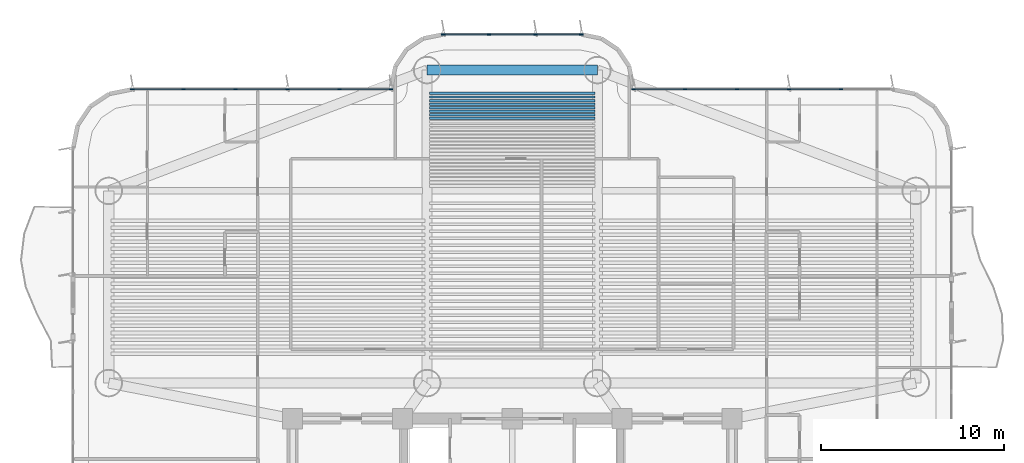
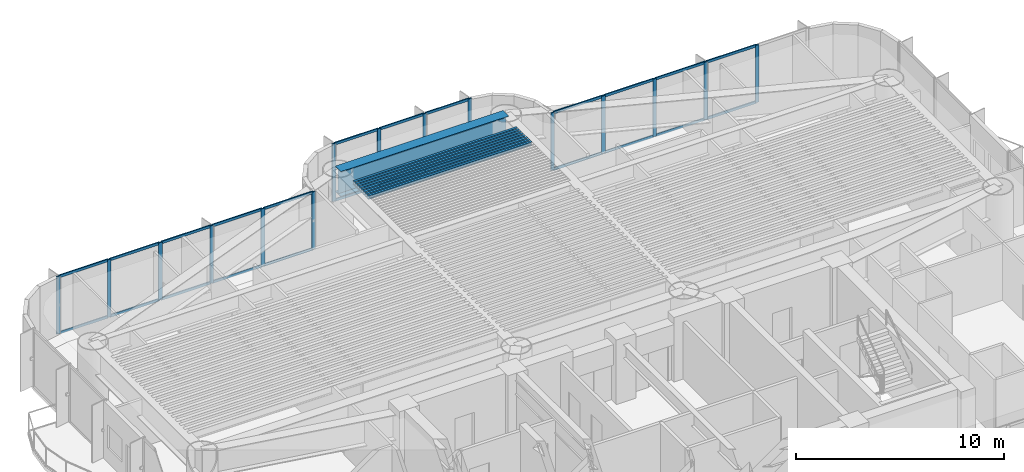
# One storey, part 6 of 17: 39 members, 9 beams, 3 elements without a shape of their own.
"""IFC4 building model written with IfcOpenShell, lengths in metres."""

from ifc_helpers import new_model, si_unit, direction, frame, origin, origin_2d, place, context, subcontext, project, spatial, rectangle, i_section, extrude, source, transform, mapped, material, layer, layer_set, material_profile, profile_set, type_object, element, aggregate, save


model = new_model("IFC4")

# Units and contexts
model_context = context("Model", 3, precision=1e-05, world=origin(), true_north=direction((0.0, 1.0)))
body_context = subcontext(model_context, "Body", "Model", "MODEL_VIEW")
ifc_project = project(units=[si_unit("LENGTHUNIT", "METRE"), si_unit("AREAUNIT", "SQUARE_METRE"), si_unit("VOLUMEUNIT", "CUBIC_METRE"), si_unit("PLANEANGLEUNIT", "RADIAN"), si_unit("MASSUNIT", "GRAM", prefix="KILO")], contexts=[model_context])

# Site, building, storey
site_placement = place(None, origin())
site = spatial("IfcSite", under=ifc_project, at=site_placement, CompositionType="ELEMENT")
building_placement = place(site_placement, origin())
building = spatial("IfcBuilding", under=site, at=building_placement, Name="Brelvock Crest Care Tower", CompositionType="ELEMENT")
storey_placement = place(building_placement, frame((0.0, 0.0, 76.139892578125)))
storey = spatial("IfcBuildingStorey", under=building, at=storey_placement, Name="L19", CompositionType="ELEMENT", Elevation=76.139892578125)

# Beams
ifc_material_1 = material(Name="Steel Grade 350", Category="steel")
ifc_material_profile_1 = material_profile(ifc_material_1, i_section(OverallWidth=0.134033203125, OverallDepth=0.20703125, WebThickness=0.00634765625, FlangeThickness=0.009521484375, FilletRadius=0.0087890625, at=origin_2d()), Name="200UB29.8")
ifc_profile_set_1 = profile_set([ifc_material_profile_1], Name="Steel Grade 350")
beam_type_1 = type_object("IfcBeamType", Name="BM-J4", PredefinedType="JOIST", material=ifc_profile_set_1)
shared_shape_1 = source(origin(), body_context, "Body", "SweptSolid", [
    extrude(i_section(OverallWidth=0.134033203125, OverallDepth=0.20703125, WebThickness=0.00634765625, FlangeThickness=0.009521484375, FilletRadius=0.0087890625, at=origin_2d()), origin(), (0.0, 0.0, 1.0), 9.06982421875),
])
for number, where, z_axis, x_axis, name in (
    (1, (31.465087890625, 34.413330078125, 3.2685546875), (1.0, 0.0, 0.0), (0.0, 1.0, 0.0), "BM-JN-L19-20"),
    (2, (31.465087890625, 34.60791015625, 3.2685546875), (1.0, 0.0, 0.0), (0.0, 1.0, 0.0), "BM-JN-L19-21"),
    (3, (31.465087890625, 34.802734375, 3.2685546875), (1.0, 0.0, 0.0), (0.0, 1.0, 0.0), "BM-JN-L19-22"),
    (4, (31.465087890625, 34.997314453125, 3.2685546875), (1.0, 0.0, 0.0), (0.0, 1.0, 0.0), "BM-JN-L19-23"),
    (5, (31.465087890625, 35.192138671875, 3.2685546875), (1.0, 0.0, 0.0), (0.0, 1.0, 0.0), "BM-JN-L19-24"),
    (6, (31.465087890625, 35.38671875, 3.2685546875), (1.0, 0.0, 0.0), (0.0, 1.0, 0.0), "BM-JN-L19-25"),
    (7, (31.465087890625, 35.58154296875, 3.2685546875), (1.0, 0.0, 0.0), (0.0, 1.0, 0.0), "BM-JN-L19-26"),
    (8, (31.465087890625, 35.776123046875, 3.2685546875), (1.0, 0.0, 0.0), (0.0, 1.0, 0.0), "BM-JN-L19-27"),
):
    element("IfcBeam", number, at=place(storey_placement, frame(where, z_axis=z_axis, x_axis=x_axis)), inside=storey, type_object=beam_type_1, Name=name, PredefinedType="JOIST", context=body_context, shape_type="MappedRepresentation", body=[
        mapped(shared_shape_1, transform((0.0, 0.0, 0.0), x_axis=(1.0, 0.0, 0.0), y_axis=(0.0, 1.0, 0.0), z_axis=(0.0, 0.0, 1.0), scale=1.0)),
    ])
ifc_material_profile_2 = material_profile(ifc_material_1, i_section(OverallWidth=0.550048828125, OverallDepth=1.5, WebThickness=0.02392578125, FlangeThickness=0.044921875, at=origin_2d()), Name="1500TG580")
ifc_profile_set_2 = profile_set([ifc_material_profile_2], Name="Steel Grade 350")
beam_type_2 = type_object("IfcBeamType", Name="BM-TG2", PredefinedType="USERDEFINED", material=ifc_profile_set_2)
shared_shape_2 = source(origin(), body_context, "Body", "SweptSolid", [
    extrude(i_section(OverallWidth=0.550048828125, OverallDepth=1.5, WebThickness=0.02392578125, FlangeThickness=0.044921875, at=origin_2d()), origin(), (0.0, 0.0, 1.0), 9.2998046875),
])
beam_placement = place(storey_placement, frame((31.35009765625, 37.050048828125, 2.6220703125), z_axis=(1.0, 0.0, 0.0), x_axis=(0.0, 1.0, 0.0)))
element("IfcBeam", 9, at=beam_placement, inside=storey, type_object=beam_type_2, Name="BM-TWR-L19-08", ObjectType="GIRDER", PredefinedType="USERDEFINED", context=body_context, shape_type="MappedRepresentation", body=[
    mapped(shared_shape_2, transform((0.0, 0.0, 0.0), x_axis=(1.0, 0.0, 0.0), y_axis=(0.0, 1.0, 0.0), z_axis=(0.0, 0.0, 1.0), scale=1.0)),
])

# Curtain wall, members
ifc_material_2 = material(Name="Dark Glass Double Glazed Low-E", Category="glass")
ifc_layer = layer(ifc_material_2, 0.195068359375, Name="CWS-2")
ifc_layer_set = layer_set([ifc_layer], Name="Dark Glass Double Glazed Low-E")
curtain_wall_type = type_object("IfcCurtainWallType", Name="CWS-2", PredefinedType="NOTDEFINED", material=ifc_layer_set)
curtain_wall_1_placement = place(storey_placement, origin())
curtain_wall_1 = element("IfcCurtainWall", 10, at=curtain_wall_1_placement, inside=storey, type_object=curtain_wall_type, Name="L19 Curtain Wall E18", PredefinedType="NOTDEFINED")
ifc_material_3 = material(Name="Aluminium 6063-T6", Category="aluminium")
ifc_material_profile_3 = material_profile(ifc_material_3, rectangle(XDim=0.06494140625, YDim=0.14990234375, at=origin_2d()), Name="ALU65x150")
ifc_profile_set_3 = profile_set([ifc_material_profile_3], Name="Aluminium 6063-T6")
member_type_1 = type_object("IfcMemberType", Name="CWT-1", PredefinedType="USERDEFINED", material=ifc_profile_set_3)
shared_shape_3 = source(origin(), body_context, "Body", "SweptSolid", [
    extrude(rectangle(XDim=0.06494140625, YDim=0.14990234375, at=origin_2d()), origin(), (0.0, 0.0, 1.0), 2.74267578125),
])
member_1_placement = place(storey_placement, frame((15.264892578125, 36.0, 0.03271484375), z_axis=(1.0, 0.0, 0.0), x_axis=(0.0, 1.0, 0.0)))
member_1 = element("IfcMember", 11, at=member_1_placement, type_object=member_type_1, Name="CW-2 transom 1.1", ObjectType="TRANSOM", PredefinedType="USERDEFINED", context=body_context, shape_type="MappedRepresentation", body=[
    mapped(shared_shape_3, transform((0.0, 0.0, 0.0), x_axis=(1.0, 0.0, 0.0), y_axis=(0.0, 1.0, 0.0), z_axis=(0.0, 0.0, 1.0), scale=1.0)),
])
member_2_placement = place(storey_placement, frame((15.264892578125, 36.0, 3.339599609375), z_axis=(1.0, 0.0, 0.0), x_axis=(0.0, 1.0, 0.0)))
member_2 = element("IfcMember", 12, at=member_2_placement, type_object=member_type_1, Name="CW-2 transom 1.2", ObjectType="TRANSOM", PredefinedType="USERDEFINED", context=body_context, shape_type="MappedRepresentation", body=[
    mapped(shared_shape_3, transform((0.0, 0.0, 0.0), x_axis=(1.0, 0.0, 0.0), y_axis=(0.0, 1.0, 0.0), z_axis=(0.0, 0.0, 1.0), scale=1.0)),
])
shared_shape_4 = source(origin(), body_context, "Body", "SweptSolid", [
    extrude(rectangle(XDim=0.06494140625, YDim=0.14990234375, at=origin_2d()), origin(), (0.0, 0.0, 1.0), 2.77490234375),
])
member_3_placement = place(storey_placement, frame((18.072509765625, 36.0, 0.03271484375), z_axis=(1.0, 0.0, 0.0), x_axis=(0.0, 1.0, 0.0)))
member_3 = element("IfcMember", 13, at=member_3_placement, type_object=member_type_1, Name="CW-2 transom 2.1", ObjectType="TRANSOM", PredefinedType="USERDEFINED", context=body_context, shape_type="MappedRepresentation", body=[
    mapped(shared_shape_4, transform((0.0, 0.0, 0.0), x_axis=(1.0, 0.0, 0.0), y_axis=(0.0, 1.0, 0.0), z_axis=(0.0, 0.0, 1.0), scale=1.0)),
])
member_4_placement = place(storey_placement, frame((18.072509765625, 36.0, 3.339599609375), z_axis=(1.0, 0.0, 0.0), x_axis=(0.0, 1.0, 0.0)))
member_4 = element("IfcMember", 14, at=member_4_placement, type_object=member_type_1, Name="CW-2 transom 2.2", ObjectType="TRANSOM", PredefinedType="USERDEFINED", context=body_context, shape_type="MappedRepresentation", body=[
    mapped(shared_shape_4, transform((0.0, 0.0, 0.0), x_axis=(1.0, 0.0, 0.0), y_axis=(0.0, 1.0, 0.0), z_axis=(0.0, 0.0, 1.0), scale=1.0)),
])
member_5_placement = place(storey_placement, frame((20.91259765625, 36.0, 0.03271484375), z_axis=(1.0, 0.0, 0.0), x_axis=(0.0, 1.0, 0.0)))
member_5 = element("IfcMember", 15, at=member_5_placement, type_object=member_type_1, Name="CW-2 transom 3.1", ObjectType="TRANSOM", PredefinedType="USERDEFINED", context=body_context, shape_type="MappedRepresentation", body=[
    mapped(shared_shape_4, transform((0.0, 0.0, 0.0), x_axis=(1.0, 0.0, 0.0), y_axis=(0.0, 1.0, 0.0), z_axis=(0.0, 0.0, 1.0), scale=1.0)),
])
member_6_placement = place(storey_placement, frame((20.91259765625, 36.0, 3.339599609375), z_axis=(1.0, 0.0, 0.0), x_axis=(0.0, 1.0, 0.0)))
member_6 = element("IfcMember", 16, at=member_6_placement, type_object=member_type_1, Name="CW-2 transom 3.2", ObjectType="TRANSOM", PredefinedType="USERDEFINED", context=body_context, shape_type="MappedRepresentation", body=[
    mapped(shared_shape_4, transform((0.0, 0.0, 0.0), x_axis=(1.0, 0.0, 0.0), y_axis=(0.0, 1.0, 0.0), z_axis=(0.0, 0.0, 1.0), scale=1.0)),
])

curtain_wall_2_placement = place(storey_placement, origin())
curtain_wall_2 = element("IfcCurtainWall", 17, at=curtain_wall_2_placement, inside=storey, type_object=curtain_wall_type, Name="L19 Curtain Wall E30", PredefinedType="NOTDEFINED")
member_7_placement = place(storey_placement, frame((48.3125, 36.0, 0.03271484375), z_axis=(1.0, 0.0, 0.0), x_axis=(0.0, 1.0, 0.0)))
member_7 = element("IfcMember", 18, at=member_7_placement, type_object=member_type_1, Name="CW-2 transom 3.1", ObjectType="TRANSOM", PredefinedType="USERDEFINED", context=body_context, shape_type="MappedRepresentation", body=[
    mapped(shared_shape_4, transform((0.0, 0.0, 0.0), x_axis=(1.0, 0.0, 0.0), y_axis=(0.0, 1.0, 0.0), z_axis=(0.0, 0.0, 1.0), scale=1.0)),
])
member_8_placement = place(storey_placement, frame((48.3125, 36.0, 3.339599609375), z_axis=(1.0, 0.0, 0.0), x_axis=(0.0, 1.0, 0.0)))
member_8 = element("IfcMember", 19, at=member_8_placement, type_object=member_type_1, Name="CW-2 transom 3.2", ObjectType="TRANSOM", PredefinedType="USERDEFINED", context=body_context, shape_type="MappedRepresentation", body=[
    mapped(shared_shape_4, transform((0.0, 0.0, 0.0), x_axis=(1.0, 0.0, 0.0), y_axis=(0.0, 1.0, 0.0), z_axis=(0.0, 0.0, 1.0), scale=1.0)),
])
member_9_placement = place(storey_placement, frame((51.152587890625, 36.0, 0.03271484375), z_axis=(1.0, 0.0, 0.0), x_axis=(0.0, 1.0, 0.0)))
member_9 = element("IfcMember", 20, at=member_9_placement, type_object=member_type_1, Name="CW-2 transom 4.1", ObjectType="TRANSOM", PredefinedType="USERDEFINED", context=body_context, shape_type="MappedRepresentation", body=[
    mapped(shared_shape_4, transform((0.0, 0.0, 0.0), x_axis=(1.0, 0.0, 0.0), y_axis=(0.0, 1.0, 0.0), z_axis=(0.0, 0.0, 1.0), scale=1.0)),
])
member_10_placement = place(storey_placement, frame((51.152587890625, 36.0, 3.339599609375), z_axis=(1.0, 0.0, 0.0), x_axis=(0.0, 1.0, 0.0)))
member_10 = element("IfcMember", 21, at=member_10_placement, type_object=member_type_1, Name="CW-2 transom 4.2", ObjectType="TRANSOM", PredefinedType="USERDEFINED", context=body_context, shape_type="MappedRepresentation", body=[
    mapped(shared_shape_4, transform((0.0, 0.0, 0.0), x_axis=(1.0, 0.0, 0.0), y_axis=(0.0, 1.0, 0.0), z_axis=(0.0, 0.0, 1.0), scale=1.0)),
])

# Member
shared_shape_5 = source(origin(), body_context, "Body", "SweptSolid", [
    extrude(rectangle(XDim=0.06494140625, YDim=0.14990234375, at=origin_2d()), origin(), (0.0, 0.0, 1.0), 2.775146484375),
])
member_11_placement = place(storey_placement, frame((23.75244140625, 36.0, 0.03271484375), z_axis=(1.0, 0.0, 0.0), x_axis=(0.0, 1.0, 0.0)))
member_11 = element("IfcMember", 22, at=member_11_placement, type_object=member_type_1, Name="CW-2 transom 4.1", ObjectType="TRANSOM", PredefinedType="USERDEFINED", context=body_context, shape_type="MappedRepresentation", body=[
    mapped(shared_shape_5, transform((0.0, 0.0, 0.0), x_axis=(1.0, 0.0, 0.0), y_axis=(0.0, 1.0, 0.0), z_axis=(0.0, 0.0, 1.0), scale=1.0)),
])

member_12_placement = place(storey_placement, frame((23.75244140625, 36.0, 3.339599609375), z_axis=(1.0, 0.0, 0.0), x_axis=(0.0, 1.0, 0.0)))
member_12 = element("IfcMember", 23, at=member_12_placement, type_object=member_type_1, Name="CW-2 transom 4.2", ObjectType="TRANSOM", PredefinedType="USERDEFINED", context=body_context, shape_type="MappedRepresentation", body=[
    mapped(shared_shape_5, transform((0.0, 0.0, 0.0), x_axis=(1.0, 0.0, 0.0), y_axis=(0.0, 1.0, 0.0), z_axis=(0.0, 0.0, 1.0), scale=1.0)),
])

member_13_placement = place(storey_placement, frame((45.472412109375, 36.0, 0.03271484375), z_axis=(1.0, 0.0, 0.0), x_axis=(0.0, 1.0, 0.0)))
member_13 = element("IfcMember", 24, at=member_13_placement, type_object=member_type_1, Name="CW-2 transom 2.1", ObjectType="TRANSOM", PredefinedType="USERDEFINED", context=body_context, shape_type="MappedRepresentation", body=[
    mapped(shared_shape_5, transform((0.0, 0.0, 0.0), x_axis=(1.0, 0.0, 0.0), y_axis=(0.0, 1.0, 0.0), z_axis=(0.0, 0.0, 1.0), scale=1.0)),
])

member_14_placement = place(storey_placement, frame((45.472412109375, 36.0, 3.339599609375), z_axis=(1.0, 0.0, 0.0), x_axis=(0.0, 1.0, 0.0)))
member_14 = element("IfcMember", 25, at=member_14_placement, type_object=member_type_1, Name="CW-2 transom 2.2", ObjectType="TRANSOM", PredefinedType="USERDEFINED", context=body_context, shape_type="MappedRepresentation", body=[
    mapped(shared_shape_5, transform((0.0, 0.0, 0.0), x_axis=(1.0, 0.0, 0.0), y_axis=(0.0, 1.0, 0.0), z_axis=(0.0, 0.0, 1.0), scale=1.0)),
])

shared_shape_6 = source(origin(), body_context, "Body", "SweptSolid", [
    extrude(rectangle(XDim=0.06494140625, YDim=0.14990234375, at=origin_2d()), origin(), (0.0, 0.0, 1.0), 2.742431640625),
])
member_15_placement = place(storey_placement, frame((26.592529296875, 36.0, 0.03271484375), z_axis=(1.0, 0.0, 0.0), x_axis=(0.0, 1.0, 0.0)))
member_15 = element("IfcMember", 26, at=member_15_placement, type_object=member_type_1, Name="CW-2 transom 5.1", ObjectType="TRANSOM", PredefinedType="USERDEFINED", context=body_context, shape_type="MappedRepresentation", body=[
    mapped(shared_shape_6, transform((0.0, 0.0, 0.0), x_axis=(1.0, 0.0, 0.0), y_axis=(0.0, 1.0, 0.0), z_axis=(0.0, 0.0, 1.0), scale=1.0)),
])

member_16_placement = place(storey_placement, frame((26.592529296875, 36.0, 3.339599609375), z_axis=(1.0, 0.0, 0.0), x_axis=(0.0, 1.0, 0.0)))
member_16 = element("IfcMember", 27, at=member_16_placement, type_object=member_type_1, Name="CW-2 transom 5.2", ObjectType="TRANSOM", PredefinedType="USERDEFINED", context=body_context, shape_type="MappedRepresentation", body=[
    mapped(shared_shape_6, transform((0.0, 0.0, 0.0), x_axis=(1.0, 0.0, 0.0), y_axis=(0.0, 1.0, 0.0), z_axis=(0.0, 0.0, 1.0), scale=1.0)),
])

member_17_placement = place(storey_placement, frame((42.6650390625, 36.0, 0.03271484375), z_axis=(1.0, 0.0, 0.0), x_axis=(0.0, 1.0, 0.0)))
member_17 = element("IfcMember", 28, at=member_17_placement, type_object=member_type_1, Name="CW-2 transom 1.1", ObjectType="TRANSOM", PredefinedType="USERDEFINED", context=body_context, shape_type="MappedRepresentation", body=[
    mapped(shared_shape_6, transform((0.0, 0.0, 0.0), x_axis=(1.0, 0.0, 0.0), y_axis=(0.0, 1.0, 0.0), z_axis=(0.0, 0.0, 1.0), scale=1.0)),
])

member_18_placement = place(storey_placement, frame((42.6650390625, 36.0, 3.339599609375), z_axis=(1.0, 0.0, 0.0), x_axis=(0.0, 1.0, 0.0)))
member_18 = element("IfcMember", 29, at=member_18_placement, type_object=member_type_1, Name="CW-2 transom 1.2", ObjectType="TRANSOM", PredefinedType="USERDEFINED", context=body_context, shape_type="MappedRepresentation", body=[
    mapped(shared_shape_6, transform((0.0, 0.0, 0.0), x_axis=(1.0, 0.0, 0.0), y_axis=(0.0, 1.0, 0.0), z_axis=(0.0, 0.0, 1.0), scale=1.0)),
])

# Curtain wall, members
curtain_wall_3_placement = place(storey_placement, origin())
curtain_wall_3 = element("IfcCurtainWall", 30, at=curtain_wall_3_placement, inside=storey, type_object=curtain_wall_type, Name="L19 Curtain Wall E24", PredefinedType="NOTDEFINED")
shared_shape_7 = source(origin(), body_context, "Body", "SweptSolid", [
    extrude(rectangle(XDim=0.06494140625, YDim=0.14990234375, at=origin_2d()), origin(), (0.0, 0.0, 1.0), 2.43603515625),
])
member_19_placement = place(storey_placement, frame((32.264892578125, 39.0, 0.03271484375), z_axis=(1.0, 0.0, 0.0), x_axis=(0.0, 1.0, 0.0)))
member_19 = element("IfcMember", 31, at=member_19_placement, type_object=member_type_1, Name="CW-2 transom 1.1", ObjectType="TRANSOM", PredefinedType="USERDEFINED", context=body_context, shape_type="MappedRepresentation", body=[
    mapped(shared_shape_7, transform((0.0, 0.0, 0.0), x_axis=(1.0, 0.0, 0.0), y_axis=(0.0, 1.0, 0.0), z_axis=(0.0, 0.0, 1.0), scale=1.0)),
])
member_20_placement = place(storey_placement, frame((32.264892578125, 39.0, 3.339599609375), z_axis=(1.0, 0.0, 0.0), x_axis=(0.0, 1.0, 0.0)))
member_20 = element("IfcMember", 32, at=member_20_placement, type_object=member_type_1, Name="CW-2 transom 1.2", ObjectType="TRANSOM", PredefinedType="USERDEFINED", context=body_context, shape_type="MappedRepresentation", body=[
    mapped(shared_shape_7, transform((0.0, 0.0, 0.0), x_axis=(1.0, 0.0, 0.0), y_axis=(0.0, 1.0, 0.0), z_axis=(0.0, 0.0, 1.0), scale=1.0)),
])
member_21_placement = place(storey_placement, frame((37.299072265625, 39.0, 0.03271484375), z_axis=(1.0, 0.0, 0.0), x_axis=(0.0, 1.0, 0.0)))
member_21 = element("IfcMember", 33, at=member_21_placement, type_object=member_type_1, Name="CW-2 transom 3.1", ObjectType="TRANSOM", PredefinedType="USERDEFINED", context=body_context, shape_type="MappedRepresentation", body=[
    mapped(shared_shape_7, transform((0.0, 0.0, 0.0), x_axis=(1.0, 0.0, 0.0), y_axis=(0.0, 1.0, 0.0), z_axis=(0.0, 0.0, 1.0), scale=1.0)),
])
member_22_placement = place(storey_placement, frame((37.299072265625, 39.0, 3.339599609375), z_axis=(1.0, 0.0, 0.0), x_axis=(0.0, 1.0, 0.0)))
member_22 = element("IfcMember", 34, at=member_22_placement, type_object=member_type_1, Name="CW-2 transom 3.2", ObjectType="TRANSOM", PredefinedType="USERDEFINED", context=body_context, shape_type="MappedRepresentation", body=[
    mapped(shared_shape_7, transform((0.0, 0.0, 0.0), x_axis=(1.0, 0.0, 0.0), y_axis=(0.0, 1.0, 0.0), z_axis=(0.0, 0.0, 1.0), scale=1.0)),
])
shared_shape_8 = source(origin(), body_context, "Body", "SweptSolid", [
    extrude(rectangle(XDim=0.06494140625, YDim=0.14990234375, at=origin_2d()), origin(), (0.0, 0.0, 1.0), 2.46826171875),
])
member_23_placement = place(storey_placement, frame((34.765869140625, 39.0, 0.03271484375), z_axis=(1.0, 0.0, 0.0), x_axis=(0.0, 1.0, 0.0)))
member_23 = element("IfcMember", 35, at=member_23_placement, type_object=member_type_1, Name="CW-2 transom 2.1", ObjectType="TRANSOM", PredefinedType="USERDEFINED", context=body_context, shape_type="MappedRepresentation", body=[
    mapped(shared_shape_8, transform((0.0, 0.0, 0.0), x_axis=(1.0, 0.0, 0.0), y_axis=(0.0, 1.0, 0.0), z_axis=(0.0, 0.0, 1.0), scale=1.0)),
])
member_24_placement = place(storey_placement, frame((34.765869140625, 39.0, 3.339599609375), z_axis=(1.0, 0.0, 0.0), x_axis=(0.0, 1.0, 0.0)))
member_24 = element("IfcMember", 36, at=member_24_placement, type_object=member_type_1, Name="CW-2 transom 2.2", ObjectType="TRANSOM", PredefinedType="USERDEFINED", context=body_context, shape_type="MappedRepresentation", body=[
    mapped(shared_shape_8, transform((0.0, 0.0, 0.0), x_axis=(1.0, 0.0, 0.0), y_axis=(0.0, 1.0, 0.0), z_axis=(0.0, 0.0, 1.0), scale=1.0)),
])

# Member
ifc_material_profile_4 = material_profile(ifc_material_3, rectangle(XDim=0.06494140625, YDim=0.199951171875, at=origin_2d()), Name="ALU65x200")
ifc_profile_set_4 = profile_set([ifc_material_profile_4], Name="Aluminium 6063-T6")
member_type_2 = type_object("IfcMemberType", Name="CWM-1", PredefinedType="MULLION", material=ifc_profile_set_4)
shared_shape_9 = source(origin(), body_context, "Body", "SweptSolid", [
    extrude(rectangle(XDim=0.06494140625, YDim=0.199951171875, at=origin_2d()), origin(), (0.0, 0.0, 1.0), 3.3720703125),
])
member_25_placement = place(storey_placement, frame((15.232421875, 36.0, 0.0), z_axis=(0.0, 0.0, 1.0), x_axis=(0.0, 1.0, 0.0)))
member_25 = element("IfcMember", 37, at=member_25_placement, type_object=member_type_2, Name="CW-2 mullion 1", PredefinedType="MULLION", context=body_context, shape_type="MappedRepresentation", body=[
    mapped(shared_shape_9, transform((0.0, 0.0, 0.0), x_axis=(1.0, 0.0, 0.0), y_axis=(0.0, 1.0, 0.0), z_axis=(0.0, 0.0, 1.0), scale=1.0)),
])

member_26_placement = place(storey_placement, frame((18.0400390625, 36.0, 0.0), z_axis=(0.0, 0.0, 1.0), x_axis=(0.0, 1.0, 0.0)))
member_26 = element("IfcMember", 38, at=member_26_placement, type_object=member_type_2, Name="CW-2 mullion 2", PredefinedType="MULLION", context=body_context, shape_type="MappedRepresentation", body=[
    mapped(shared_shape_9, transform((0.0, 0.0, 0.0), x_axis=(1.0, 0.0, 0.0), y_axis=(0.0, 1.0, 0.0), z_axis=(0.0, 0.0, 1.0), scale=1.0)),
])

member_27_placement = place(storey_placement, frame((20.8798828125, 36.0, 0.0), z_axis=(0.0, 0.0, 1.0), x_axis=(0.0, 1.0, 0.0)))
member_27 = element("IfcMember", 39, at=member_27_placement, type_object=member_type_2, Name="CW-2 mullion 3", PredefinedType="MULLION", context=body_context, shape_type="MappedRepresentation", body=[
    mapped(shared_shape_9, transform((0.0, 0.0, 0.0), x_axis=(1.0, 0.0, 0.0), y_axis=(0.0, 1.0, 0.0), z_axis=(0.0, 0.0, 1.0), scale=1.0)),
])

member_28_placement = place(storey_placement, frame((23.719970703125, 36.0, 0.0), z_axis=(0.0, 0.0, 1.0), x_axis=(0.0, 1.0, 0.0)))
member_28 = element("IfcMember", 40, at=member_28_placement, type_object=member_type_2, Name="CW-2 mullion 4", PredefinedType="MULLION", context=body_context, shape_type="MappedRepresentation", body=[
    mapped(shared_shape_9, transform((0.0, 0.0, 0.0), x_axis=(1.0, 0.0, 0.0), y_axis=(0.0, 1.0, 0.0), z_axis=(0.0, 0.0, 1.0), scale=1.0)),
])

member_29_placement = place(storey_placement, frame((26.56005859375, 36.0, 0.0), z_axis=(0.0, 0.0, 1.0), x_axis=(0.0, 1.0, 0.0)))
member_29 = element("IfcMember", 41, at=member_29_placement, type_object=member_type_2, Name="CW-2 mullion 5", PredefinedType="MULLION", context=body_context, shape_type="MappedRepresentation", body=[
    mapped(shared_shape_9, transform((0.0, 0.0, 0.0), x_axis=(1.0, 0.0, 0.0), y_axis=(0.0, 1.0, 0.0), z_axis=(0.0, 0.0, 1.0), scale=1.0)),
])

member_30_placement = place(storey_placement, frame((29.367431640625, 36.0, 0.0), z_axis=(0.0, 0.0, 1.0), x_axis=(0.0, 1.0, 0.0)))
member_30 = element("IfcMember", 42, at=member_30_placement, type_object=member_type_2, Name="CW-2 mullion 6", PredefinedType="MULLION", context=body_context, shape_type="MappedRepresentation", body=[
    mapped(shared_shape_9, transform((0.0, 0.0, 0.0), x_axis=(1.0, 0.0, 0.0), y_axis=(0.0, 1.0, 0.0), z_axis=(0.0, 0.0, 1.0), scale=1.0)),
])

aggregate(curtain_wall_1, [member_25, member_26, member_27, member_28, member_29, member_30, member_1, member_2, member_3, member_4, member_5, member_6, member_11, member_12, member_15, member_16])

member_31_placement = place(storey_placement, frame((32.232421875, 39.0, 0.0), z_axis=(0.0, 0.0, 1.0), x_axis=(0.0, 1.0, 0.0)))
member_31 = element("IfcMember", 43, at=member_31_placement, type_object=member_type_2, Name="CW-2 mullion 1", PredefinedType="MULLION", context=body_context, shape_type="MappedRepresentation", body=[
    mapped(shared_shape_9, transform((0.0, 0.0, 0.0), x_axis=(1.0, 0.0, 0.0), y_axis=(0.0, 1.0, 0.0), z_axis=(0.0, 0.0, 1.0), scale=1.0)),
])

member_32_placement = place(storey_placement, frame((34.7333984375, 39.0, 0.0), z_axis=(0.0, 0.0, 1.0), x_axis=(0.0, 1.0, 0.0)))
member_32 = element("IfcMember", 44, at=member_32_placement, type_object=member_type_2, Name="CW-2 mullion 2", PredefinedType="MULLION", context=body_context, shape_type="MappedRepresentation", body=[
    mapped(shared_shape_9, transform((0.0, 0.0, 0.0), x_axis=(1.0, 0.0, 0.0), y_axis=(0.0, 1.0, 0.0), z_axis=(0.0, 0.0, 1.0), scale=1.0)),
])

member_33_placement = place(storey_placement, frame((37.2666015625, 39.0, 0.0), z_axis=(0.0, 0.0, 1.0), x_axis=(0.0, 1.0, 0.0)))
member_33 = element("IfcMember", 45, at=member_33_placement, type_object=member_type_2, Name="CW-2 mullion 3", PredefinedType="MULLION", context=body_context, shape_type="MappedRepresentation", body=[
    mapped(shared_shape_9, transform((0.0, 0.0, 0.0), x_axis=(1.0, 0.0, 0.0), y_axis=(0.0, 1.0, 0.0), z_axis=(0.0, 0.0, 1.0), scale=1.0)),
])

member_34_placement = place(storey_placement, frame((39.767578125, 39.0, 0.0), z_axis=(0.0, 0.0, 1.0), x_axis=(0.0, 1.0, 0.0)))
member_34 = element("IfcMember", 46, at=member_34_placement, type_object=member_type_2, Name="CW-2 mullion 4", PredefinedType="MULLION", context=body_context, shape_type="MappedRepresentation", body=[
    mapped(shared_shape_9, transform((0.0, 0.0, 0.0), x_axis=(1.0, 0.0, 0.0), y_axis=(0.0, 1.0, 0.0), z_axis=(0.0, 0.0, 1.0), scale=1.0)),
])

aggregate(curtain_wall_3, [member_31, member_32, member_33, member_34, member_19, member_20, member_23, member_24, member_21, member_22])

member_35_placement = place(storey_placement, frame((42.632568359375, 36.0, 0.0), z_axis=(0.0, 0.0, 1.0), x_axis=(0.0, 1.0, 0.0)))
member_35 = element("IfcMember", 47, at=member_35_placement, type_object=member_type_2, Name="CW-2 mullion 1", PredefinedType="MULLION", context=body_context, shape_type="MappedRepresentation", body=[
    mapped(shared_shape_9, transform((0.0, 0.0, 0.0), x_axis=(1.0, 0.0, 0.0), y_axis=(0.0, 1.0, 0.0), z_axis=(0.0, 0.0, 1.0), scale=1.0)),
])

member_36_placement = place(storey_placement, frame((45.43994140625, 36.0, 0.0), z_axis=(0.0, 0.0, 1.0), x_axis=(0.0, 1.0, 0.0)))
member_36 = element("IfcMember", 48, at=member_36_placement, type_object=member_type_2, Name="CW-2 mullion 2", PredefinedType="MULLION", context=body_context, shape_type="MappedRepresentation", body=[
    mapped(shared_shape_9, transform((0.0, 0.0, 0.0), x_axis=(1.0, 0.0, 0.0), y_axis=(0.0, 1.0, 0.0), z_axis=(0.0, 0.0, 1.0), scale=1.0)),
])

member_37_placement = place(storey_placement, frame((48.280029296875, 36.0, 0.0), z_axis=(0.0, 0.0, 1.0), x_axis=(0.0, 1.0, 0.0)))
member_37 = element("IfcMember", 49, at=member_37_placement, type_object=member_type_2, Name="CW-2 mullion 3", PredefinedType="MULLION", context=body_context, shape_type="MappedRepresentation", body=[
    mapped(shared_shape_9, transform((0.0, 0.0, 0.0), x_axis=(1.0, 0.0, 0.0), y_axis=(0.0, 1.0, 0.0), z_axis=(0.0, 0.0, 1.0), scale=1.0)),
])

member_38_placement = place(storey_placement, frame((51.1201171875, 36.0, 0.0), z_axis=(0.0, 0.0, 1.0), x_axis=(0.0, 1.0, 0.0)))
member_38 = element("IfcMember", 50, at=member_38_placement, type_object=member_type_2, Name="CW-2 mullion 4", PredefinedType="MULLION", context=body_context, shape_type="MappedRepresentation", body=[
    mapped(shared_shape_9, transform((0.0, 0.0, 0.0), x_axis=(1.0, 0.0, 0.0), y_axis=(0.0, 1.0, 0.0), z_axis=(0.0, 0.0, 1.0), scale=1.0)),
])

member_39_placement = place(storey_placement, frame((53.9599609375, 36.0, 0.0), z_axis=(0.0, 0.0, 1.0), x_axis=(0.0, 1.0, 0.0)))
member_39 = element("IfcMember", 51, at=member_39_placement, type_object=member_type_2, Name="CW-2 mullion 5", PredefinedType="MULLION", context=body_context, shape_type="MappedRepresentation", body=[
    mapped(shared_shape_9, transform((0.0, 0.0, 0.0), x_axis=(1.0, 0.0, 0.0), y_axis=(0.0, 1.0, 0.0), z_axis=(0.0, 0.0, 1.0), scale=1.0)),
])

aggregate(curtain_wall_2, [member_35, member_36, member_37, member_38, member_39, member_17, member_18, member_13, member_14, member_7, member_8, member_9, member_10])

save(model, "model.ifc")
